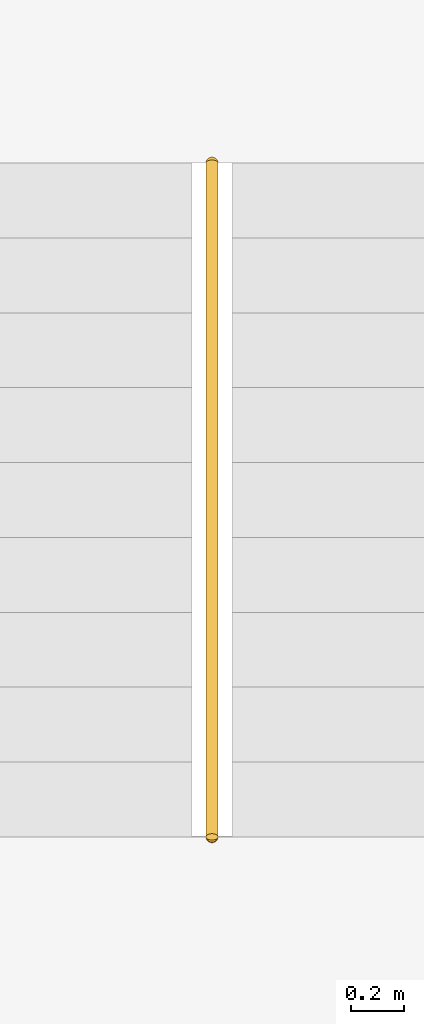
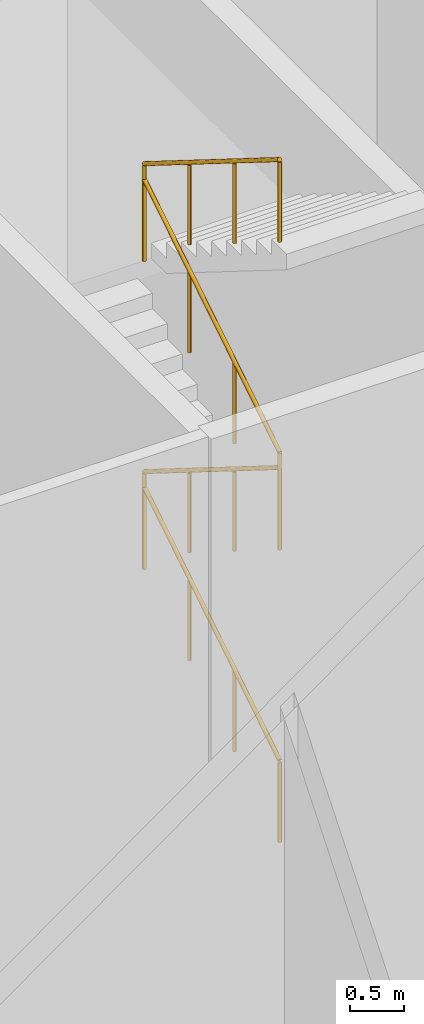
# One storey, part 19 of 19: 1 railing.
"""IFC4 building model written with IfcOpenShell, lengths in metres."""

from ifc_helpers import new_model, si_unit, direction, frame, origin, origin_2d, place, context, subcontext, project, spatial, circle, extrude, material, type_object, element, save


model = new_model("IFC4")

# Units and contexts
model_context = context("Model", 3, precision=1e-05, world=origin(), true_north=direction((0.0, 1.0)))
body_context = subcontext(model_context, "Body", "Model", "MODEL_VIEW")
ifc_project = project(units=[si_unit("LENGTHUNIT", "METRE"), si_unit("AREAUNIT", "SQUARE_METRE"), si_unit("VOLUMEUNIT", "CUBIC_METRE"), si_unit("PLANEANGLEUNIT", "RADIAN"), si_unit("MASSUNIT", "GRAM", prefix="KILO")], contexts=[model_context])

# Site, building, storey
site_placement = place(None, origin())
site = spatial("IfcSite", under=ifc_project, at=site_placement, CompositionType="ELEMENT")
building_placement = place(site_placement, origin())
building = spatial("IfcBuilding", under=site, at=building_placement, Name="Marenthal Gate Tower", CompositionType="ELEMENT")
storey_placement = place(building_placement, frame((0.0, 0.0, 19.0)))
storey = spatial("IfcBuildingStorey", under=building, at=storey_placement, Name="L02", CompositionType="ELEMENT", Elevation=19.0)

# Railing
ifc_material = material(Name="Stainless steel", Category="steel")
railing_type = type_object("IfcRailingType", Name="Stair handrail", PredefinedType="HANDRAIL", material=ifc_material)
railing_placement = place(storey_placement, frame((49.300048828125, 14.52490234375, 0.175048828125)))
element("IfcRailing", 1, at=railing_placement, inside=storey, type_object=railing_type, Name="Handrail E3", PredefinedType="HANDRAIL", context=body_context, shape_type="SweptSolid", body=[
    extrude(circle(Radius=0.0224609375, at=origin_2d()), frame((0.0, 0.0, 0.927490234375), z_axis=(0.0, 0.848007534815, 0.529984170421), x_axis=(-1.0, 0.0, 0.0)), (0.0, 0.0, 1.0), 2.9716796875),
    extrude(circle(Radius=0.0224609375, at=origin_2d()), frame((0.0, 2.52001953125, 2.50244140625), z_axis=(0.0, 0.0, 1.0), x_axis=(1.0, 0.0, 0.0)), (0.0, 0.0, 1.0), 0.175048828125),
    extrude(circle(Radius=0.0224609375, at=origin_2d()), frame((0.0, 2.52001953125, 2.677490234375), z_axis=(0.0, -0.848007534815, 0.529984170421), x_axis=(1.0, 0.0, 0.0)), (0.0, 0.0, 1.0), 2.9716796875),
    extrude(circle(Radius=0.0224609375, at=origin_2d()), frame((0.0, 0.0, 4.25244140625), z_axis=(0.0, 0.0, 1.0), x_axis=(1.0, 0.0, 0.0)), (0.0, 0.0, 1.0), 0.175048828125),
    extrude(circle(Radius=0.0224609375, at=origin_2d()), frame((0.0, 0.0, 4.427490234375), z_axis=(0.0, 0.848007534815, 0.529984170421), x_axis=(-1.0, 0.0, 0.0)), (0.0, 0.0, 1.0), 2.9716796875),
    extrude(circle(Radius=0.0224609375, at=origin_2d()), frame((0.0, 2.52001953125, 6.00244140625), z_axis=(0.0, 0.0, 1.0), x_axis=(1.0, 0.0, 0.0)), (0.0, 0.0, 1.0), 0.175048828125),
    extrude(circle(Radius=0.0224609375, at=origin_2d()), frame((0.0, 2.52001953125, 6.177490234375), z_axis=(0.0, -0.848007534815, 0.529984170421), x_axis=(1.0, 0.0, 0.0)), (0.0, 0.0, 1.0), 2.9716796875),
    extrude(circle(Radius=0.02001953125, at=origin_2d()), origin(), (0.0, 0.0, 1.0), 0.905029296875),
    extrude(circle(Radius=0.02001953125, at=origin_2d()), frame((0.0, 0.840087890625, 0.52490234375)), (0.0, 0.0, 1.0), 0.905029296875),
    extrude(circle(Radius=0.02001953125, at=origin_2d()), frame((0.0, 1.679931640625, 1.050048828125)), (0.0, 0.0, 1.0), 0.905029296875),
    extrude(circle(Radius=0.02001953125, at=origin_2d()), frame((0.0, 2.52001953125, 1.574951171875)), (0.0, 0.0, 1.0), 0.905029296875),
    extrude(circle(Radius=0.02001953125, at=origin_2d()), frame((0.0, 2.52001953125, 1.75)), (0.0, 0.0, 1.0), 0.905029296875),
    extrude(circle(Radius=0.02001953125, at=origin_2d()), frame((0.0, 1.679931640625, 2.27490234375)), (0.0, 0.0, 1.0), 0.905029296875),
    extrude(circle(Radius=0.02001953125, at=origin_2d()), frame((0.0, 0.840087890625, 2.800048828125)), (0.0, 0.0, 1.0), 0.905029296875),
    extrude(circle(Radius=0.02001953125, at=origin_2d()), frame((0.0, 0.0, 3.324951171875)), (0.0, 0.0, 1.0), 0.905029296875),
    extrude(circle(Radius=0.02001953125, at=origin_2d()), frame((0.0, 0.0, 3.5)), (0.0, 0.0, 1.0), 0.905029296875),
    extrude(circle(Radius=0.02001953125, at=origin_2d()), frame((0.0, 0.840087890625, 4.02490234375)), (0.0, 0.0, 1.0), 0.905029296875),
    extrude(circle(Radius=0.02001953125, at=origin_2d()), frame((0.0, 1.679931640625, 4.550048828125)), (0.0, 0.0, 1.0), 0.905029296875),
    extrude(circle(Radius=0.02001953125, at=origin_2d()), frame((0.0, 2.52001953125, 5.074951171875)), (0.0, 0.0, 1.0), 0.905029296875),
    extrude(circle(Radius=0.02001953125, at=origin_2d()), frame((0.0, 2.52001953125, 5.25)), (0.0, 0.0, 1.0), 0.905029296875),
    extrude(circle(Radius=0.02001953125, at=origin_2d()), frame((0.0, 1.679931640625, 5.77490234375)), (0.0, 0.0, 1.0), 0.905029296875),
    extrude(circle(Radius=0.02001953125, at=origin_2d()), frame((0.0, 0.840087890625, 6.300048828125)), (0.0, 0.0, 1.0), 0.905029296875),
    extrude(circle(Radius=0.02001953125, at=origin_2d()), frame((0.0, 0.0, 6.824951171875)), (0.0, 0.0, 1.0), 0.905029296875),
])

save(model, "model.ifc")
